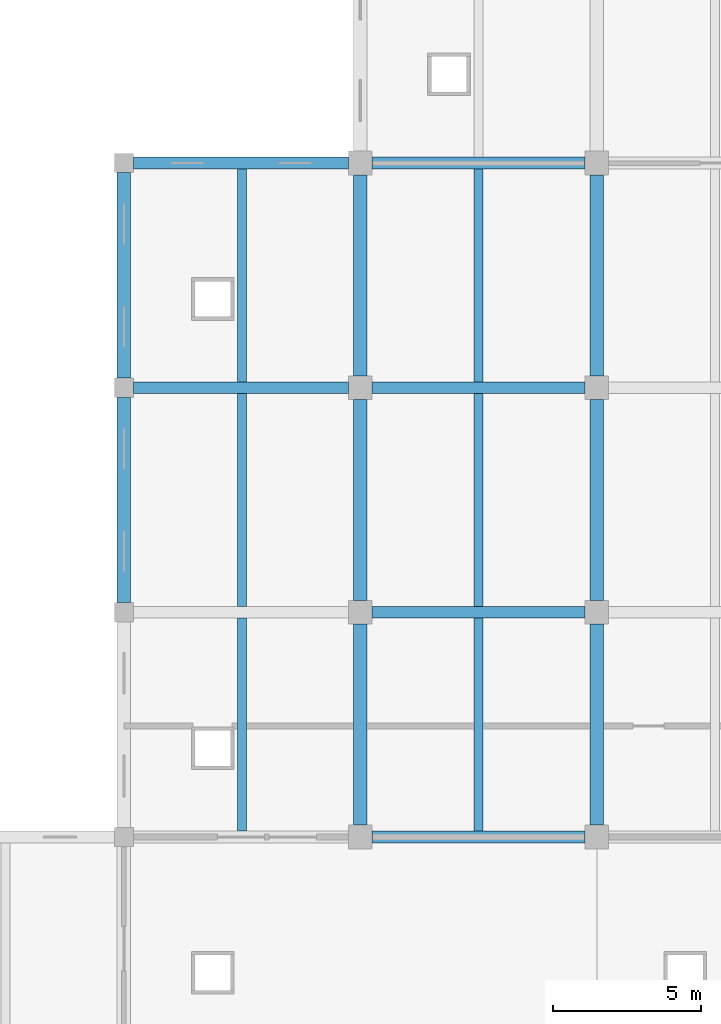
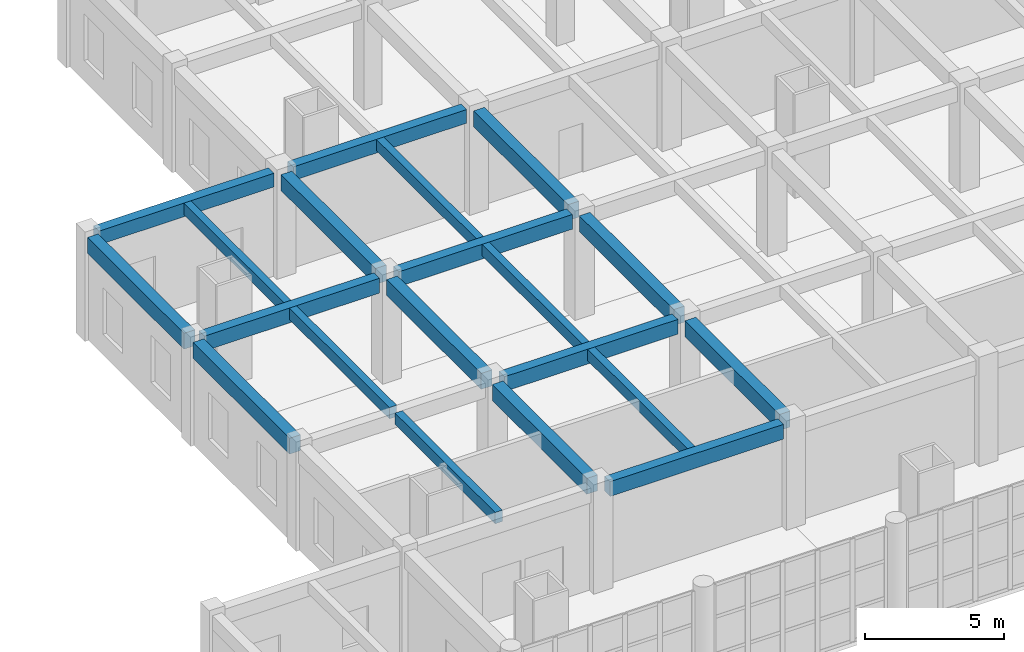
# One storey, part 35 of 101: 20 beams.
"""IFC4 building model written with IfcOpenShell, lengths in metres."""

from ifc_helpers import new_model, si_unit, direction, frame, origin, origin_2d, place, context, subcontext, project, spatial, rectangle, extrude, material, material_profile, profile_set, type_object, element, save


model = new_model("IFC4")

# Units and contexts
model_context = context("Model", 3, precision=1e-05, world=origin(), true_north=direction((0.0, 1.0)))
body_context = subcontext(model_context, "Body", "Model", "MODEL_VIEW")
ifc_project = project(units=[si_unit("LENGTHUNIT", "METRE"), si_unit("AREAUNIT", "SQUARE_METRE"), si_unit("VOLUMEUNIT", "CUBIC_METRE"), si_unit("PLANEANGLEUNIT", "RADIAN"), si_unit("MASSUNIT", "GRAM", prefix="KILO")], contexts=[model_context])

# Site, building, storey
site_placement = place(None, origin())
site = spatial("IfcSite", under=ifc_project, at=site_placement, CompositionType="ELEMENT")
building_placement = place(site_placement, origin())
building = spatial("IfcBuilding", under=site, at=building_placement, Name="Zantavel Square City Hall", CompositionType="ELEMENT")
storey_placement = place(building_placement, frame((0.0, 0.0, 5.39990234375)))
storey = spatial("IfcBuildingStorey", under=building, at=storey_placement, Name="L02", CompositionType="ELEMENT", Elevation=5.39990234375)

# Beams
ifc_material = material(Name="Concrete C35/45", Category="concrete")
ifc_material_profile_1 = material_profile(ifc_material, rectangle(XDim=0.300048828125, YDim=0.5, at=origin_2d()), Name="RC 300x500")
ifc_profile_set_1 = profile_set([ifc_material_profile_1], Name="Concrete C35/45")
beam_type_1 = type_object("IfcBeamType", Name="Floor Joist RC 300x500 C35/45", PredefinedType="JOIST", material=ifc_profile_set_1)
for number, where, z_axis, x_axis, name in (
    (1, (20.0, 76.199951171875, 4.2900390625), (0.0, 1.0, 0.0), (-1.0, 0.0, 0.0), "L02 Floor Joist JST-L02-0200-0760"),
    (2, (20.0, 83.800048828125, 4.2900390625), (0.0, 1.0, 0.0), (-1.0, 0.0, 0.0), "L02 Floor Joist JST-L02-0200-0836"),
):
    element("IfcBeam", number, at=place(storey_placement, frame(where, z_axis=z_axis, x_axis=x_axis)), inside=storey, type_object=beam_type_1, Name=name, PredefinedType="JOIST", context=body_context, shape_type="SweptSolid", body=[
        extrude(rectangle(XDim=0.300048828125, YDim=0.5, at=origin_2d()), origin(), (0.0, 0.0, 1.0), 7.199951171875),
    ])
beam_1_placement = place(storey_placement, frame((20.0, 91.39990234375, 4.2900390625), z_axis=(0.0, 1.0, 0.0), x_axis=(-1.0, 0.0, 0.0)))
element("IfcBeam", 3, at=beam_1_placement, inside=storey, type_object=beam_type_1, Name="L02 Floor Joist JST-L02-0200-0912", PredefinedType="JOIST", context=body_context, shape_type="SweptSolid", body=[
    extrude(rectangle(XDim=0.300048828125, YDim=0.5, at=origin_2d()), origin(), (0.0, 0.0, 1.0), 7.2001953125),
])
for number, where, z_axis, x_axis, name in (
    (4, (28.0, 76.199951171875, 4.2900390625), (0.0, 1.0, 0.0), (-1.0, 0.0, 0.0), "L02 Floor Joist JST-L02-0280-0760"),
    (5, (28.0, 83.800048828125, 4.2900390625), (0.0, 1.0, 0.0), (-1.0, 0.0, 0.0), "L02 Floor Joist JST-L02-0280-0836"),
):
    element("IfcBeam", number, at=place(storey_placement, frame(where, z_axis=z_axis, x_axis=x_axis)), inside=storey, type_object=beam_type_1, Name=name, PredefinedType="JOIST", context=body_context, shape_type="SweptSolid", body=[
        extrude(rectangle(XDim=0.300048828125, YDim=0.5, at=origin_2d()), origin(), (0.0, 0.0, 1.0), 7.199951171875),
    ])
beam_2_placement = place(storey_placement, frame((28.0, 91.39990234375, 4.2900390625), z_axis=(0.0, 1.0, 0.0), x_axis=(-1.0, 0.0, 0.0)))
element("IfcBeam", 6, at=beam_2_placement, inside=storey, type_object=beam_type_1, Name="L02 Floor Joist JST-L02-0280-0912", PredefinedType="JOIST", context=body_context, shape_type="SweptSolid", body=[
    extrude(rectangle(XDim=0.300048828125, YDim=0.5, at=origin_2d()), origin(), (0.0, 0.0, 1.0), 7.2001953125),
])
ifc_material_profile_2 = material_profile(ifc_material, rectangle(XDim=0.39990234375, YDim=0.64990234375, at=origin_2d()), Name="RC 400x650")
ifc_profile_set_2 = profile_set([ifc_material_profile_2], Name="Concrete C35/45")
beam_type_2 = type_object("IfcBeamType", Name="Frame Beam RC 400x650 C35/45", PredefinedType="BEAM", material=ifc_profile_set_2)
beam_3_placement = place(storey_placement, frame((16.324951171875, 91.199951171875, 4.215087890625), z_axis=(1.0, 0.0, 0.0), x_axis=(0.0, 1.0, 0.0)))
element("IfcBeam", 7, at=beam_3_placement, inside=storey, type_object=beam_type_2, Name="L02 Girder BMX-L02-0160-0912", PredefinedType="BEAM", context=body_context, shape_type="SweptSolid", body=[
    extrude(rectangle(XDim=0.39990234375, YDim=0.64990234375, at=origin_2d()), origin(), (0.0, 0.0, 1.0), 7.275146484375),
])
for number, where, z_axis, x_axis, name in (
    (8, (24.39990234375, 76.0, 4.215087890625), (1.0, 0.0, 0.0), (0.0, 1.0, 0.0), "L02 Girder BMX-L02-0240-0760"),
    (9, (24.39990234375, 83.60009765625, 4.215087890625), (1.0, 0.0, 0.0), (0.0, 1.0, 0.0), "L02 Girder BMX-L02-0240-0836"),
    (10, (24.39990234375, 91.199951171875, 4.215087890625), (1.0, 0.0, 0.0), (0.0, 1.0, 0.0), "L02 Girder BMX-L02-0240-0912"),
):
    element("IfcBeam", number, at=place(storey_placement, frame(where, z_axis=z_axis, x_axis=x_axis)), inside=storey, type_object=beam_type_2, Name=name, PredefinedType="BEAM", context=body_context, shape_type="SweptSolid", body=[
        extrude(rectangle(XDim=0.39990234375, YDim=0.64990234375, at=origin_2d()), origin(), (0.0, 0.0, 1.0), 7.2001953125),
    ])
ifc_material_profile_3 = material_profile(ifc_material, rectangle(XDim=0.39990234375, YDim=0.60009765625, at=origin_2d()), Name="RC 400x600")
ifc_profile_set_3 = profile_set([ifc_material_profile_3], Name="Concrete C35/45")
beam_type_3 = type_object("IfcBeamType", Name="Perimeter Spandrel RC 400x600 C35/45", PredefinedType="SPANDREL", material=ifc_profile_set_3)
beam_4_placement = place(storey_placement, frame((16.324951171875, 98.800048828125, 4.239990234375), z_axis=(1.0, 0.0, 0.0), x_axis=(0.0, 1.0, 0.0)))
element("IfcBeam", 11, at=beam_4_placement, inside=storey, type_object=beam_type_3, Name="L02 Girder BMX-L02-0160-0988", PredefinedType="SPANDREL", context=body_context, shape_type="SweptSolid", body=[
    extrude(rectangle(XDim=0.39990234375, YDim=0.60009765625, at=origin_2d()), origin(), (0.0, 0.0, 1.0), 7.275146484375),
])
beam_5_placement = place(storey_placement, frame((24.39990234375, 98.800048828125, 4.239990234375), z_axis=(1.0, 0.0, 0.0), x_axis=(0.0, 1.0, 0.0)))
element("IfcBeam", 12, at=beam_5_placement, inside=storey, type_object=beam_type_3, Name="L02 Girder BMX-L02-0240-0988", PredefinedType="SPANDREL", context=body_context, shape_type="SweptSolid", body=[
    extrude(rectangle(XDim=0.39990234375, YDim=0.60009765625, at=origin_2d()), origin(), (0.0, 0.0, 1.0), 7.2001953125),
])
ifc_material_profile_4 = material_profile(ifc_material, rectangle(XDim=0.449951171875, YDim=0.699951171875, at=origin_2d()), Name="RC 450x700")
ifc_profile_set_4 = profile_set([ifc_material_profile_4], Name="Concrete C35/45")
beam_type_4 = type_object("IfcBeamType", Name="Primary Girder RC 450x700 C35/45", PredefinedType="BEAM", material=ifc_profile_set_4)
beam_6_placement = place(storey_placement, frame((16.0, 83.925048828125, 4.190185546875), z_axis=(0.0, 1.0, 0.0), x_axis=(-1.0, 0.0, 0.0)))
element("IfcBeam", 13, at=beam_6_placement, inside=storey, type_object=beam_type_4, Name="L02 Beam BMY-L02-0160-0836", PredefinedType="BEAM", context=body_context, shape_type="SweptSolid", body=[
    extrude(rectangle(XDim=0.449951171875, YDim=0.699951171875, at=origin_2d()), origin(), (0.0, 0.0, 1.0), 6.949951171875),
])
beam_7_placement = place(storey_placement, frame((16.0, 91.52490234375, 4.190185546875), z_axis=(0.0, 1.0, 0.0), x_axis=(-1.0, 0.0, 0.0)))
element("IfcBeam", 14, at=beam_7_placement, inside=storey, type_object=beam_type_4, Name="L02 Beam BMY-L02-0160-0912", PredefinedType="BEAM", context=body_context, shape_type="SweptSolid", body=[
    extrude(rectangle(XDim=0.449951171875, YDim=0.699951171875, at=origin_2d()), origin(), (0.0, 0.0, 1.0), 6.9501953125),
])
for number, where, z_axis, x_axis, name in (
    (15, (24.0, 76.39990234375, 4.190185546875), (0.0, 1.0, 0.0), (-1.0, 0.0, 0.0), "L02 Beam BMY-L02-0240-0760"),
    (16, (24.0, 84.0, 4.190185546875), (0.0, 1.0, 0.0), (-1.0, 0.0, 0.0), "L02 Beam BMY-L02-0240-0836"),
):
    element("IfcBeam", number, at=place(storey_placement, frame(where, z_axis=z_axis, x_axis=x_axis)), inside=storey, type_object=beam_type_4, Name=name, PredefinedType="BEAM", context=body_context, shape_type="SweptSolid", body=[
        extrude(rectangle(XDim=0.449951171875, YDim=0.699951171875, at=origin_2d()), origin(), (0.0, 0.0, 1.0), 6.800048828125),
    ])
beam_8_placement = place(storey_placement, frame((24.0, 91.60009765625, 4.190185546875), z_axis=(0.0, 1.0, 0.0), x_axis=(-1.0, 0.0, 0.0)))
element("IfcBeam", 17, at=beam_8_placement, inside=storey, type_object=beam_type_4, Name="L02 Beam BMY-L02-0240-0912", PredefinedType="BEAM", context=body_context, shape_type="SweptSolid", body=[
    extrude(rectangle(XDim=0.449951171875, YDim=0.699951171875, at=origin_2d()), origin(), (0.0, 0.0, 1.0), 6.7998046875),
])
for number, where, z_axis, x_axis, name in (
    (18, (32.0, 76.39990234375, 4.190185546875), (0.0, 1.0, 0.0), (-1.0, 0.0, 0.0), "L02 Beam BMY-L02-0320-0760"),
    (19, (32.0, 84.0, 4.190185546875), (0.0, 1.0, 0.0), (-1.0, 0.0, 0.0), "L02 Beam BMY-L02-0320-0836"),
):
    element("IfcBeam", number, at=place(storey_placement, frame(where, z_axis=z_axis, x_axis=x_axis)), inside=storey, type_object=beam_type_4, Name=name, PredefinedType="BEAM", context=body_context, shape_type="SweptSolid", body=[
        extrude(rectangle(XDim=0.449951171875, YDim=0.699951171875, at=origin_2d()), origin(), (0.0, 0.0, 1.0), 6.800048828125),
    ])
beam_9_placement = place(storey_placement, frame((32.0, 91.60009765625, 4.190185546875), z_axis=(0.0, 1.0, 0.0), x_axis=(-1.0, 0.0, 0.0)))
element("IfcBeam", 20, at=beam_9_placement, inside=storey, type_object=beam_type_4, Name="L02 Beam BMY-L02-0320-0912", PredefinedType="BEAM", context=body_context, shape_type="SweptSolid", body=[
    extrude(rectangle(XDim=0.449951171875, YDim=0.699951171875, at=origin_2d()), origin(), (0.0, 0.0, 1.0), 6.7998046875),
])

save(model, "model.ifc")
